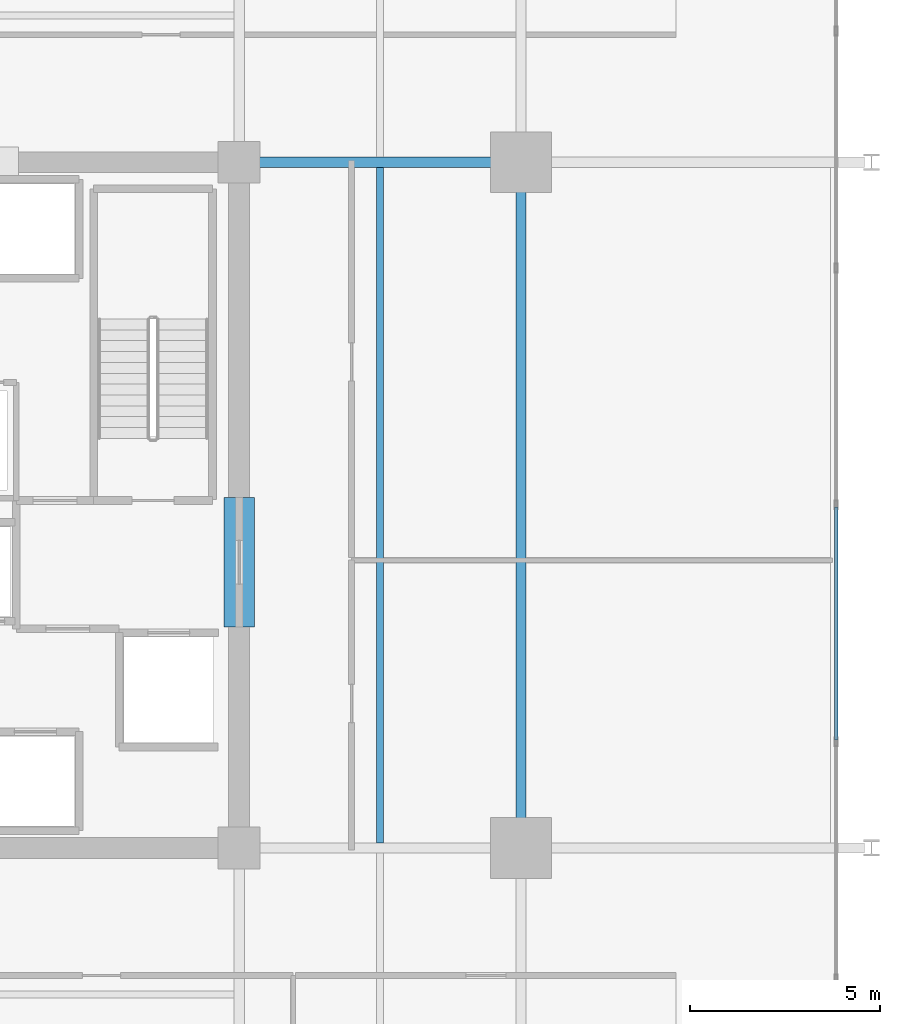
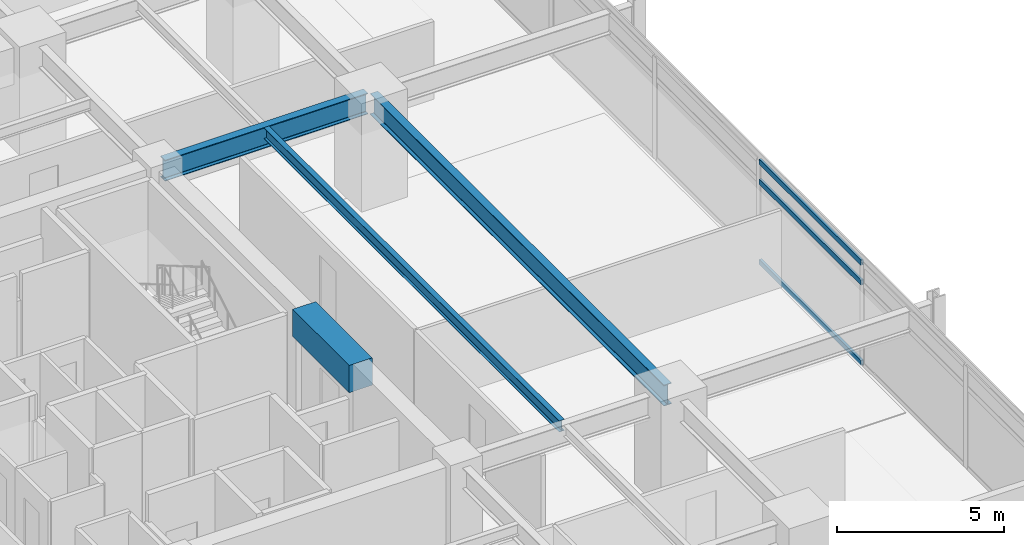
# One storey, part 8 of 20: 4 beams, 3 members, 1 element without a shape of its own.
"""IFC4 building model written with IfcOpenShell, lengths in metres."""

from ifc_helpers import new_model, si_unit, direction, frame, origin, origin_2d, place, context, subcontext, project, spatial, rectangle, hollow_rectangle, i_section, extrude, material, material_profile, profile_set, type_object, element, aggregate, save


model = new_model("IFC4")

# Units and contexts
model_context = context("Model", 3, precision=1e-05, world=origin(), true_north=direction((0.0, 1.0)))
body_context = subcontext(model_context, "Body", "Model", "MODEL_VIEW")
ifc_project = project(units=[si_unit("LENGTHUNIT", "METRE"), si_unit("AREAUNIT", "SQUARE_METRE"), si_unit("VOLUMEUNIT", "CUBIC_METRE"), si_unit("PLANEANGLEUNIT", "RADIAN"), si_unit("MASSUNIT", "GRAM", prefix="KILO")], contexts=[model_context])

# Site, building, storey
site_placement = place(None, origin())
site = spatial("IfcSite", under=ifc_project, at=site_placement, CompositionType="ELEMENT")
building_placement = place(site_placement, origin())
building = spatial("IfcBuilding", under=site, at=building_placement, Name="Kovane Verandah Tower", CompositionType="ELEMENT")
storey_placement = place(building_placement, frame((0.0, 0.0, 160.39990234375)))
storey = spatial("IfcBuildingStorey", under=building, at=storey_placement, Name="L37", CompositionType="ELEMENT", Elevation=160.39990234375)

# Beams
ifc_material_1 = material(Name="Concrete C60/75", Category="concrete")
ifc_material_profile_1 = material_profile(ifc_material_1, rectangle(XDim=0.800048828125, YDim=1.0, at=origin_2d()), Name="RCB800x1000")
ifc_profile_set_1 = profile_set([ifc_material_profile_1], Name="Concrete C60/75")
beam_type_1 = type_object("IfcBeamType", Name="BM-LINTEL-800x1000", PredefinedType="LINTEL", material=ifc_profile_set_1)
beam_1_placement = place(storey_placement, frame((51.0, 24.300048828125, 3.275146484375), z_axis=(0.0, 1.0, 0.0), x_axis=(-1.0, 0.0, 0.0)))
element("IfcBeam", 1, at=beam_1_placement, inside=storey, type_object=beam_type_1, Name="L37 Core Coupling Lintel CL-E", PredefinedType="LINTEL", context=body_context, shape_type="SweptSolid", body=[
    extrude(rectangle(XDim=0.800048828125, YDim=1.0, at=origin_2d()), origin(), (0.0, 0.0, 1.0), 3.39990234375),
])
ifc_material_2 = material(Name="Steel S355", Category="steel")
ifc_material_profile_2 = material_profile(ifc_material_2, i_section(OverallWidth=0.26806640625, OverallDepth=0.769775390625, WebThickness=0.015625, FlangeThickness=0.025390625, FilletRadius=0.0166015625, at=origin_2d()), Name="UB762x267x197")
ifc_profile_set_2 = profile_set([ifc_material_profile_2], Name="Steel S355")
beam_type_2 = type_object("IfcBeamType", Name="BM-UB762x197", PredefinedType="BEAM", material=ifc_profile_set_2)
beam_2_placement = place(storey_placement, frame((58.39990234375, 18.679931640625, 3.39013671875), z_axis=(0.0, 1.0, 0.0), x_axis=(-1.0, 0.0, 0.0)))
element("IfcBeam", 2, at=beam_2_placement, inside=storey, type_object=beam_type_2, Name="L37 Primary Tower Girder G-RE2", PredefinedType="BEAM", context=body_context, shape_type="SweptSolid", body=[
    extrude(i_section(OverallWidth=0.26806640625, OverallDepth=0.769775390625, WebThickness=0.015625, FlangeThickness=0.025390625, FilletRadius=0.0166015625, at=origin_2d()), origin(), (0.0, 0.0, 1.0), 17.64013671875),
])
beam_3_placement = place(storey_placement, frame((51.179931640625, 36.5, 3.39013671875), z_axis=(1.0, 0.0, 0.0), x_axis=(0.0, 1.0, 0.0)))
element("IfcBeam", 3, at=beam_3_placement, inside=storey, type_object=beam_type_2, Name="L37 Primary Tower Girder G-E2", PredefinedType="BEAM", context=body_context, shape_type="SweptSolid", body=[
    extrude(i_section(OverallWidth=0.26806640625, OverallDepth=0.769775390625, WebThickness=0.015625, FlangeThickness=0.025390625, FilletRadius=0.0166015625, at=origin_2d()), origin(), (0.0, 0.0, 1.0), 7.0400390625),
])

# Curtain wall, members
ifc_material_3 = material(Name="Champagne Anodised Aluminium Frame with Low-E Clear Laminated Glass", Category="aluminium")
curtain_wall_type = type_object("IfcCurtainWallType", Name="CW-SYS-03-MID", PredefinedType="NOTDEFINED", material=ifc_material_3)
curtain_wall_placement = place(storey_placement, origin())
curtain_wall = element("IfcCurtainWall", 4, at=curtain_wall_placement, inside=storey, type_object=curtain_wall_type, Name="L37 E Unitised Curtain Wall", PredefinedType="NOTDEFINED")
ifc_material_4 = material(Name="Champagne Anodised Aluminium 6063-T6", Category="aluminium")
ifc_material_profile_3 = material_profile(ifc_material_4, hollow_rectangle(XDim=0.0849609375, YDim=0.18994140625, WallThickness=0.00390625, at=origin_2d()), Name="AL85x190x4")
ifc_profile_set_3 = profile_set([ifc_material_profile_3], Name="Champagne Anodised Aluminium 6063-T6")
member_type = type_object("IfcMemberType", Name="CW-TRN-85x190", PredefinedType="USERDEFINED", material=ifc_profile_set_3)
member_1_placement = place(storey_placement, frame((66.67236328125, 21.32958984375, 0.050048828125), z_axis=(0.0, 1.0, 0.0), x_axis=(-1.0, 0.0, 0.0)))
member_1 = element("IfcMember", 5, at=member_1_placement, type_object=member_type, Name="L37 E Unitised Curtain Wall Transom TB Bay 3", ObjectType="TRANSOM", PredefinedType="USERDEFINED", context=body_context, shape_type="SweptSolid", body=[
    extrude(hollow_rectangle(XDim=0.0849609375, YDim=0.18994140625, WallThickness=0.00390625, at=origin_2d()), origin(), (0.0, 0.0, 1.0), 6.120361328125),
])
member_2_placement = place(storey_placement, frame((66.67236328125, 21.32958984375, 2.9951171875), z_axis=(0.0, 1.0, 0.0), x_axis=(-1.0, 0.0, 0.0)))
member_2 = element("IfcMember", 6, at=member_2_placement, type_object=member_type, Name="L37 E Unitised Curtain Wall Transom TM Bay 3", ObjectType="TRANSOM", PredefinedType="USERDEFINED", context=body_context, shape_type="SweptSolid", body=[
    extrude(hollow_rectangle(XDim=0.0849609375, YDim=0.18994140625, WallThickness=0.00390625, at=origin_2d()), origin(), (0.0, 0.0, 1.0), 6.120361328125),
])
member_3_placement = place(storey_placement, frame((66.67236328125, 21.32958984375, 3.72509765625), z_axis=(0.0, 1.0, 0.0), x_axis=(-1.0, 0.0, 0.0)))
member_3 = element("IfcMember", 7, at=member_3_placement, type_object=member_type, Name="L37 E Unitised Curtain Wall Transom TT Bay 3", ObjectType="TRANSOM", PredefinedType="USERDEFINED", context=body_context, shape_type="SweptSolid", body=[
    extrude(hollow_rectangle(XDim=0.0849609375, YDim=0.18994140625, WallThickness=0.00390625, at=origin_2d()), origin(), (0.0, 0.0, 1.0), 6.120361328125),
])
aggregate(curtain_wall, [member_1, member_2, member_3])

# Beam
ifc_material_profile_4 = material_profile(ifc_material_2, i_section(OverallWidth=0.179443359375, OverallDepth=0.412841796875, WebThickness=0.009521484375, FlangeThickness=0.01611328125, FilletRadius=0.01025390625, at=origin_2d()), Name="UB406x178x74")
ifc_profile_set_4 = profile_set([ifc_material_profile_4], Name="Steel S355")
beam_type_3 = type_object("IfcBeamType", Name="JST-UB406x74", PredefinedType="JOIST", material=ifc_profile_set_4)
beam_4_placement = place(storey_placement, frame((54.699951171875, 18.632080078125, 3.568603515625), z_axis=(0.0, 1.0, 0.0), x_axis=(-1.0, 0.0, 0.0)))
element("IfcBeam", 8, at=beam_4_placement, inside=storey, type_object=beam_type_3, Name="L37 Secondary Composite Joist J-E1", PredefinedType="JOIST", context=body_context, shape_type="SweptSolid", body=[
    extrude(i_section(OverallWidth=0.179443359375, OverallDepth=0.412841796875, WebThickness=0.009521484375, FlangeThickness=0.01611328125, FilletRadius=0.01025390625, at=origin_2d()), origin(), (0.0, 0.0, 1.0), 17.73583984375),
])

save(model, "model.ifc")
